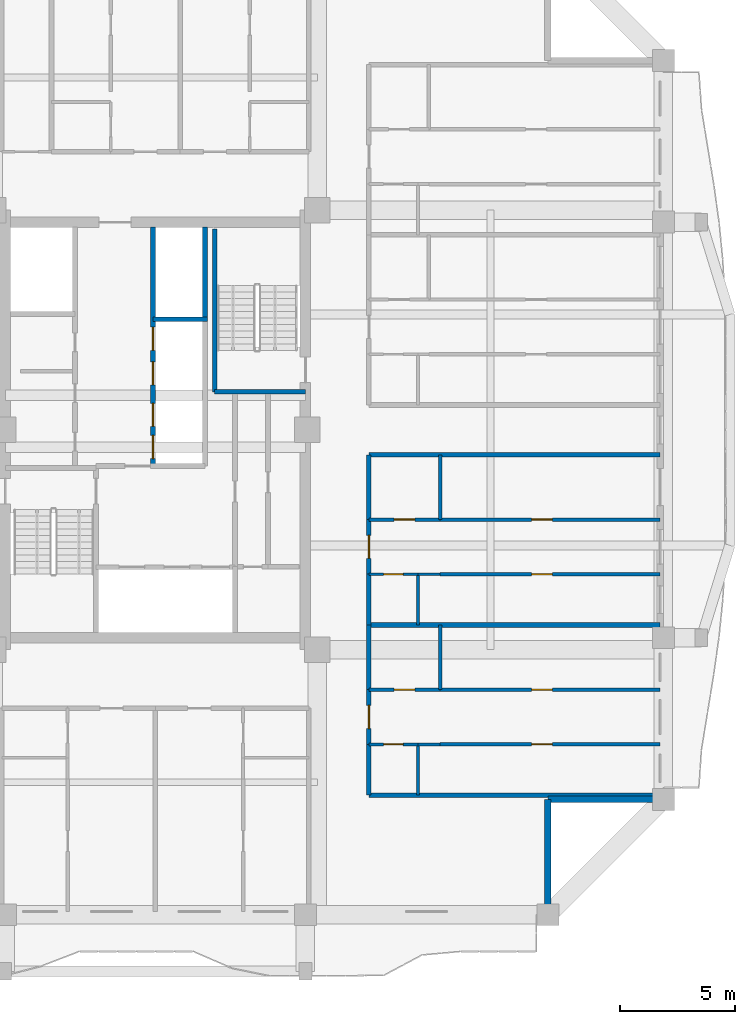
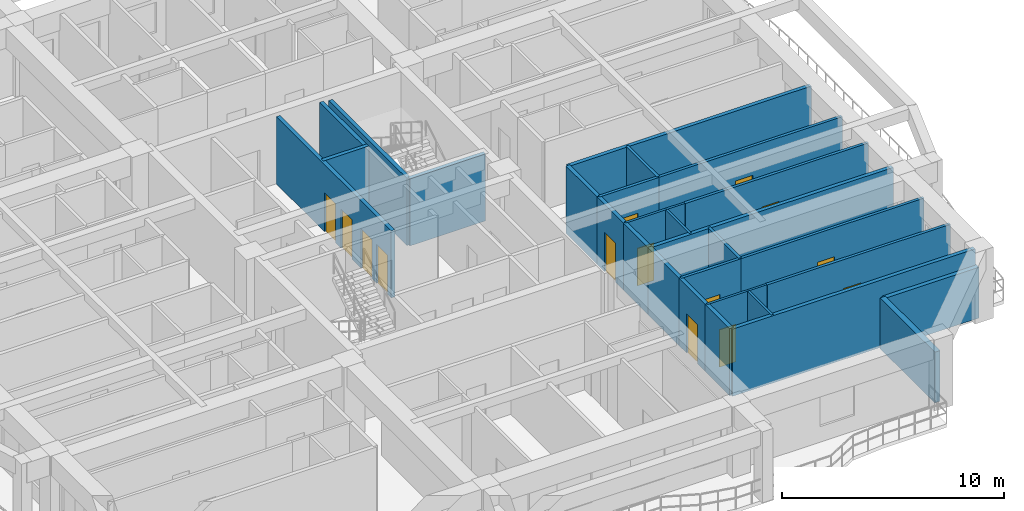
# One storey, part 5 of 15: 30 walls, 14 doors, 14 openings.
"""IFC4 building model written with IfcOpenShell, lengths in metres."""

from ifc_helpers import new_model, si_unit, direction, frame, frame_2d, origin, place, context, subcontext, project, spatial, rectangle, extrude, source, transform, mapped, material, layer, layer_set, type_object, element, fill, save


model = new_model("IFC4")

# Units and contexts
model_context = context("Model", 3, precision=1e-05, world=origin(), true_north=direction((0.0, 1.0)))
body_context = subcontext(model_context, "Body", "Model", "MODEL_VIEW")
ifc_project = project(units=[si_unit("LENGTHUNIT", "METRE"), si_unit("AREAUNIT", "SQUARE_METRE"), si_unit("VOLUMEUNIT", "CUBIC_METRE"), si_unit("PLANEANGLEUNIT", "RADIAN"), si_unit("MASSUNIT", "GRAM", prefix="KILO")], contexts=[model_context])

# Site, building, storey
site_placement = place(None, origin())
site = spatial("IfcSite", under=ifc_project, at=site_placement, CompositionType="ELEMENT")
building_placement = place(site_placement, origin())
building = spatial("IfcBuilding", under=site, at=building_placement, Name="Saelheon Loggia Tower", CompositionType="ELEMENT")
storey_placement = place(building_placement, frame((0.0, 0.0, 159.10009765625)))
storey = spatial("IfcBuildingStorey", under=building, at=storey_placement, Name="L50", CompositionType="ELEMENT", Elevation=159.10009765625)

# Walls
ifc_material_1 = material(Name="Architectural Precast Concrete C40/50", Category="concrete")
ifc_layer_1 = layer(ifc_material_1, 0.280029296875)
ifc_layer_set_1 = layer_set([ifc_layer_1], Name="Architectural Precast Concrete C40/50")
wall_type_1 = type_object("IfcWallType", Name="Wall_Ext_Loggia_280", PredefinedType="SOLIDWALL", material=ifc_layer_set_1)
for number, where, z_axis, x_axis, name in (
    (1, (55.0, 6.080078125, 0.0), (0.0, 0.0, 1.0), (0.0, 1.0, 0.0), "L50 Corner Notch Precast Wall SE1"),
    (2, (55.0, 11.0, 0.0), (0.0, 0.0, 1.0), (1.0, 0.0, 0.0), "L50 Corner Notch Precast Wall SE2"),
):
    element("IfcWall", number, at=place(storey_placement, frame(where, z_axis=z_axis, x_axis=x_axis)), inside=storey, type_object=wall_type_1, Name=name, PredefinedType="SOLIDWALL", context=body_context, shape_type="SweptSolid", body=[
        extrude(rectangle(XDim=4.919921875, YDim=0.280029296875, at=frame_2d((2.4599609375, 0.0))), origin(), (0.0, 0.0, 1.0), 2.789794921875),
    ])
ifc_material_2 = material(Name="Lightweight Autoclaved Aerated Concrete Block and Acoustic Gypsum", Category="concrete")
ifc_layer_2 = layer(ifc_material_2, 0.14990234375)
ifc_layer_set_2 = layer_set([ifc_layer_2], Name="Lightweight Autoclaved Aerated Concrete Block and Acoustic Gypsum")
wall_type_2 = type_object("IfcWallType", Name="Wall_Part_150", PredefinedType="PARTITIONING", material=ifc_layer_set_2)
wall_1_placement = place(storey_placement, frame((50.330078125, 15.74951171875, 0.0), z_axis=(0.0, 0.0, 1.0), x_axis=(0.0, 1.0, 0.0)))
element("IfcWall", 3, at=wall_1_placement, inside=storey, type_object=wall_type_2, Name="L50 ES Partition V07", PredefinedType="PARTITIONING", context=body_context, shape_type="SweptSolid", body=[
    extrude(rectangle(XDim=2.800537109375, YDim=0.14990234375, at=frame_2d((1.400390625, 0.0))), origin(), (0.0, 0.0, 1.0), 3.68994140625),
])

# Wall, opening, door
wall_2_placement = place(storey_placement, frame((50.330078125, 13.3798828125, 0.0), z_axis=(0.0, 0.0, 1.0), x_axis=(1.0, 0.0, 0.0)))
wall_2 = element("IfcWall", 4, at=wall_2_placement, inside=storey, type_object=wall_type_2, Name="L50 ES Partition U10", PredefinedType="PARTITIONING", context=body_context, shape_type="SweptSolid", body=[
    extrude(rectangle(XDim=9.52001953125, YDim=0.14990234375, at=frame_2d((4.760009765625, 0.0))), origin(), (0.0, 0.0, 1.0), 3.68994140625),
])
opening_1_placement = place(wall_2_placement, frame((3.970703125, 0.0, 0.0)))
opening_1 = element("IfcOpeningElement", 5, at=opening_1_placement, cuts=wall_2, Name="Opening D-IN2", PredefinedType="OPENING", context=body_context, shape_type="SweptSolid", body=[
    extrude(rectangle(XDim=0.89990234375, YDim=2.10009765625, at=frame_2d((0.449951171875, 1.050048828125))), frame((0.0, 0.0869140625, 0.0), z_axis=(0.0, -1.0, 0.0), x_axis=(1.0, 0.0, 0.0)), (0.0, 0.0, 1.0), 0.173828125),
])
ifc_material_3 = material(Name="Engineered Oak Flush Door", Category="timber")
door_type_1 = type_object("IfcDoorType", Name="Door_Int_900", OperationType="NOTDEFINED", PredefinedType="DOOR", material=ifc_material_3)
shared_shape_1 = source(origin(), body_context, "Body", "SweptSolid", [
    extrude(rectangle(XDim=0.89990234375, YDim=2.10009765625, at=frame_2d((0.449951171875, 1.050048828125))), frame((0.0, 0.02490234375, 0.0), z_axis=(0.0, -1.0, 0.0), x_axis=(1.0, 0.0, 0.0)), (0.0, 0.0, 1.0), 0.050048828125),
])
door_1_placement = place(opening_1_placement, origin())
door_1 = element("IfcDoor", 6, at=door_1_placement, inside=storey, type_object=door_type_1, Name="Unit U09 Kitchen Door", OperationType="SINGLE_SWING_RIGHT", OverallHeight=2.10009765625, OverallWidth=0.89990234375, PredefinedType="DOOR", context=body_context, shape_type="MappedRepresentation", body=[
    mapped(shared_shape_1, transform((0.0, 0.0, 0.0), scale=1.0)),
])
fill(opening_1, door_1)

wall_3_placement = place(storey_placement, frame((47.25, 15.74951171875, 0.0), z_axis=(0.0, 0.0, 1.0), x_axis=(1.0, 0.0, 0.0)))
wall_3 = element("IfcWall", 7, at=wall_3_placement, inside=storey, type_object=wall_type_2, Name="L50 ES Partition U11", PredefinedType="PARTITIONING", context=body_context, shape_type="SweptSolid", body=[
    extrude(rectangle(XDim=3.080078125, YDim=0.14990234375, at=frame_2d((1.5400390625, 0.0))), origin(), (0.0, 0.0, 1.0), 3.68994140625),
])
opening_2_placement = place(wall_3_placement, frame((1.090087890625, 0.0, 0.0)))
opening_2 = element("IfcOpeningElement", 8, at=opening_2_placement, cuts=wall_3, Name="Opening D-IN2", PredefinedType="OPENING", context=body_context, shape_type="SweptSolid", body=[
    extrude(rectangle(XDim=0.89990234375, YDim=2.10009765625, at=frame_2d((0.449951171875, 1.050048828125))), frame((0.0, 0.0869140625, 0.0), z_axis=(0.0, -1.0, 0.0), x_axis=(1.0, 0.0, 0.0)), (0.0, 0.0, 1.0), 0.173828125),
])
door_2_placement = place(opening_2_placement, origin())
door_2 = element("IfcDoor", 9, at=door_2_placement, inside=storey, type_object=door_type_1, Name="Unit U09 Dressing Closet Door", OperationType="SINGLE_SWING_LEFT", OverallHeight=2.10009765625, OverallWidth=0.89990234375, PredefinedType="DOOR", context=body_context, shape_type="MappedRepresentation", body=[
    mapped(shared_shape_1, transform((0.0, 0.0, 0.0), scale=1.0)),
])
fill(opening_2, door_2)

wall_4_placement = place(storey_placement, frame((50.330078125, 15.74951171875, 0.0), z_axis=(0.0, 0.0, 1.0), x_axis=(1.0, 0.0, 0.0)))
wall_4 = element("IfcWall", 10, at=wall_4_placement, inside=storey, type_object=wall_type_2, Name="L50 ES Partition U12", PredefinedType="PARTITIONING", context=body_context, shape_type="SweptSolid", body=[
    extrude(rectangle(XDim=9.52001953125, YDim=0.14990234375, at=frame_2d((4.760009765625, 0.0))), origin(), (0.0, 0.0, 1.0), 3.68994140625),
])
opening_3_placement = place(wall_4_placement, frame((3.970703125, 0.0, 0.0)))
opening_3 = element("IfcOpeningElement", 11, at=opening_3_placement, cuts=wall_4, Name="Opening D-IN2", PredefinedType="OPENING", context=body_context, shape_type="SweptSolid", body=[
    extrude(rectangle(XDim=0.89990234375, YDim=2.10009765625, at=frame_2d((0.449951171875, 1.050048828125))), frame((0.0, 0.0869140625, 0.0), z_axis=(0.0, -1.0, 0.0), x_axis=(1.0, 0.0, 0.0)), (0.0, 0.0, 1.0), 0.173828125),
])
door_3_placement = place(opening_3_placement, origin())
door_3 = element("IfcDoor", 12, at=door_3_placement, inside=storey, type_object=door_type_1, Name="Unit U09 Bedroom 1 Door", OperationType="SINGLE_SWING_RIGHT", OverallHeight=2.10009765625, OverallWidth=0.89990234375, PredefinedType="DOOR", context=body_context, shape_type="MappedRepresentation", body=[
    mapped(shared_shape_1, transform((0.0, 0.0, 0.0), scale=1.0)),
])
fill(opening_3, door_3)

# Wall
wall_5_placement = place(storey_placement, frame((50.330078125, 23.119384765625, 0.0), z_axis=(0.0, 0.0, 1.0), x_axis=(0.0, 1.0, 0.0)))
element("IfcWall", 13, at=wall_5_placement, inside=storey, type_object=wall_type_2, Name="L50 ES Partition V18", PredefinedType="PARTITIONING", context=body_context, shape_type="SweptSolid", body=[
    extrude(rectangle(XDim=2.800537109375, YDim=0.14990234375, at=frame_2d((1.400390625, 0.0))), origin(), (0.0, 0.0, 1.0), 3.68994140625),
])

# Wall, opening, door
wall_6_placement = place(storey_placement, frame((50.330078125, 20.75, 0.0), z_axis=(0.0, 0.0, 1.0), x_axis=(1.0, 0.0, 0.0)))
wall_6 = element("IfcWall", 14, at=wall_6_placement, inside=storey, type_object=wall_type_2, Name="L50 ES Partition U21", PredefinedType="PARTITIONING", context=body_context, shape_type="SweptSolid", body=[
    extrude(rectangle(XDim=9.52001953125, YDim=0.14990234375, at=frame_2d((4.760009765625, 0.0))), origin(), (0.0, 0.0, 1.0), 3.68994140625),
])
opening_4_placement = place(wall_6_placement, frame((3.970703125, 0.0, 0.0)))
opening_4 = element("IfcOpeningElement", 15, at=opening_4_placement, cuts=wall_6, Name="Opening D-IN2", PredefinedType="OPENING", context=body_context, shape_type="SweptSolid", body=[
    extrude(rectangle(XDim=0.89990234375, YDim=2.10009765625, at=frame_2d((0.449951171875, 1.050048828125))), frame((0.0, 0.0869140625, 0.0), z_axis=(0.0, -1.0, 0.0), x_axis=(1.0, 0.0, 0.0)), (0.0, 0.0, 1.0), 0.173828125),
])
door_4_placement = place(opening_4_placement, origin())
door_4 = element("IfcDoor", 16, at=door_4_placement, inside=storey, type_object=door_type_1, Name="Unit U10 Kitchen Door", OperationType="SINGLE_SWING_LEFT", OverallHeight=2.10009765625, OverallWidth=0.89990234375, PredefinedType="DOOR", context=body_context, shape_type="MappedRepresentation", body=[
    mapped(shared_shape_1, transform((0.0, 0.0, 0.0), scale=1.0)),
])
fill(opening_4, door_4)

wall_7_placement = place(storey_placement, frame((47.25, 23.119384765625, 0.0), z_axis=(0.0, 0.0, 1.0), x_axis=(1.0, 0.0, 0.0)))
wall_7 = element("IfcWall", 17, at=wall_7_placement, inside=storey, type_object=wall_type_2, Name="L50 ES Partition U22", PredefinedType="PARTITIONING", context=body_context, shape_type="SweptSolid", body=[
    extrude(rectangle(XDim=3.080078125, YDim=0.14990234375, at=frame_2d((1.5400390625, 0.0))), origin(), (0.0, 0.0, 1.0), 3.68994140625),
])
opening_5_placement = place(wall_7_placement, frame((1.090087890625, 0.0, 0.0)))
opening_5 = element("IfcOpeningElement", 18, at=opening_5_placement, cuts=wall_7, Name="Opening D-IN2", PredefinedType="OPENING", context=body_context, shape_type="SweptSolid", body=[
    extrude(rectangle(XDim=0.89990234375, YDim=2.10009765625, at=frame_2d((0.449951171875, 1.050048828125))), frame((0.0, 0.0869140625, 0.0), z_axis=(0.0, -1.0, 0.0), x_axis=(1.0, 0.0, 0.0)), (0.0, 0.0, 1.0), 0.173828125),
])
door_5_placement = place(opening_5_placement, origin())
door_5 = element("IfcDoor", 19, at=door_5_placement, inside=storey, type_object=door_type_1, Name="Unit U10 Dressing Closet Door", OperationType="SINGLE_SWING_RIGHT", OverallHeight=2.10009765625, OverallWidth=0.89990234375, PredefinedType="DOOR", context=body_context, shape_type="MappedRepresentation", body=[
    mapped(shared_shape_1, transform((0.0, 0.0, 0.0), scale=1.0)),
])
fill(opening_5, door_5)

wall_8_placement = place(storey_placement, frame((50.330078125, 23.119384765625, 0.0), z_axis=(0.0, 0.0, 1.0), x_axis=(1.0, 0.0, 0.0)))
wall_8 = element("IfcWall", 20, at=wall_8_placement, inside=storey, type_object=wall_type_2, Name="L50 ES Partition U23", PredefinedType="PARTITIONING", context=body_context, shape_type="SweptSolid", body=[
    extrude(rectangle(XDim=9.52001953125, YDim=0.14990234375, at=frame_2d((4.760009765625, 0.0))), origin(), (0.0, 0.0, 1.0), 3.68994140625),
])
opening_6_placement = place(wall_8_placement, frame((3.970703125, 0.0, 0.0)))
opening_6 = element("IfcOpeningElement", 21, at=opening_6_placement, cuts=wall_8, Name="Opening D-IN2", PredefinedType="OPENING", context=body_context, shape_type="SweptSolid", body=[
    extrude(rectangle(XDim=0.89990234375, YDim=2.10009765625, at=frame_2d((0.449951171875, 1.050048828125))), frame((0.0, 0.0869140625, 0.0), z_axis=(0.0, -1.0, 0.0), x_axis=(1.0, 0.0, 0.0)), (0.0, 0.0, 1.0), 0.173828125),
])
door_6_placement = place(opening_6_placement, origin())
door_6 = element("IfcDoor", 22, at=door_6_placement, inside=storey, type_object=door_type_1, Name="Unit U10 Bedroom 1 Door", OperationType="SINGLE_SWING_LEFT", OverallHeight=2.10009765625, OverallWidth=0.89990234375, PredefinedType="DOOR", context=body_context, shape_type="MappedRepresentation", body=[
    mapped(shared_shape_1, transform((0.0, 0.0, 0.0), scale=1.0)),
])
fill(opening_6, door_6)

# Walls
ifc_material_4 = material(Name="Double Acoustic Stud and Fireboard Partition", Category="gypsum")
ifc_layer_3 = layer(ifc_material_4, 0.199951171875)
ifc_layer_set_3 = layer_set([ifc_layer_3], Name="Double Acoustic Stud and Fireboard Partition")
wall_type_3 = type_object("IfcWallType", Name="Wall_Party_200", PredefinedType="PARTITIONING", material=ifc_layer_set_3)
for number, where, z_axis, x_axis, name in (
    (23, (47.25, 11.179931640625, 0.0), (0.0, 0.0, 1.0), (1.0, 0.0, 0.0), "L50 ES Partition U01"),
    (24, (47.25, 25.919921875, 0.0), (0.0, 0.0, 1.0), (1.0, 0.0, 0.0), "L50 ES Partition U02"),
):
    element("IfcWall", number, at=place(storey_placement, frame(where, z_axis=z_axis, x_axis=x_axis)), inside=storey, type_object=wall_type_3, Name=name, PredefinedType="PARTITIONING", context=body_context, shape_type="SweptSolid", body=[
        extrude(rectangle(XDim=12.60009765625, YDim=0.199951171875, at=frame_2d((6.300048828125, 0.0))), origin(), (0.0, 0.0, 1.0), 3.68994140625),
    ])
wall_9_placement = place(storey_placement, frame((47.25, 11.179931640625, 0.0), z_axis=(0.0, 0.0, 1.0), x_axis=(0.0, 1.0, 0.0)))
element("IfcWall", 25, at=wall_9_placement, inside=storey, type_object=wall_type_3, Name="L50 ES Partition V03", PredefinedType="PARTITIONING", context=body_context, shape_type="SweptSolid", body=[
    extrude(rectangle(XDim=2.199951171875, YDim=0.199951171875, at=frame_2d((1.10009765625, 0.0))), origin(), (0.0, 0.0, 1.0), 3.68994140625),
])

# Wall, opening, door
wall_10_placement = place(storey_placement, frame((47.25, 13.3798828125, 0.0), z_axis=(0.0, 0.0, 1.0), x_axis=(0.0, 1.0, 0.0)))
wall_10 = element("IfcWall", 26, at=wall_10_placement, inside=storey, type_object=wall_type_3, Name="L50 ES Partition V04", PredefinedType="PARTITIONING", context=body_context, shape_type="SweptSolid", body=[
    extrude(rectangle(XDim=2.36962890625, YDim=0.199951171875, at=frame_2d((1.184814453125, 0.0))), origin(), (0.0, 0.0, 1.0), 3.68994140625),
])
opening_7_placement = place(wall_10_placement, frame((0.684814453125, 0.0, 0.0)))
opening_7 = element("IfcOpeningElement", 27, at=opening_7_placement, cuts=wall_10, Name="Opening D-FD1", PredefinedType="OPENING", context=body_context, shape_type="SweptSolid", body=[
    extrude(rectangle(XDim=1.0, YDim=2.14990234375, at=frame_2d((0.5, 1.074951171875))), frame((0.0, 0.112060546875, 0.0), z_axis=(0.0, -1.0, 0.0), x_axis=(1.0, 0.0, 0.0)), (0.0, 0.0, 1.0), 0.223876953125),
])
ifc_material_5 = material(Name="Fire-Rated Engineered Timber Entrance Door", Category="wood")
door_type_2 = type_object("IfcDoorType", Name="Door_Flat_FD30S", OperationType="NOTDEFINED", PredefinedType="DOOR", material=ifc_material_5)
shared_shape_2 = source(origin(), body_context, "Body", "SweptSolid", [
    extrude(rectangle(XDim=1.0, YDim=2.14990234375, at=frame_2d((0.5, 1.074951171875))), frame((0.0, 0.02490234375, 0.0), z_axis=(0.0, -1.0, 0.0), x_axis=(1.0, 0.0, 0.0)), (0.0, 0.0, 1.0), 0.050048828125),
])
door_7_placement = place(opening_7_placement, origin())
door_7 = element("IfcDoor", 28, at=door_7_placement, inside=storey, type_object=door_type_2, Name="Unit U09 Entrance Door", OperationType="SINGLE_SWING_RIGHT", OverallHeight=2.14990234375, OverallWidth=1.0, PredefinedType="DOOR", context=body_context, shape_type="MappedRepresentation", body=[
    mapped(shared_shape_2, transform((0.0, 0.0, 0.0), scale=1.0)),
])
fill(opening_7, door_7)

# Walls
wall_11_placement = place(storey_placement, frame((47.25, 15.74951171875, 0.0), z_axis=(0.0, 0.0, 1.0), x_axis=(0.0, 1.0, 0.0)))
element("IfcWall", 29, at=wall_11_placement, inside=storey, type_object=wall_type_3, Name="L50 ES Partition V05", PredefinedType="PARTITIONING", context=body_context, shape_type="SweptSolid", body=[
    extrude(rectangle(XDim=2.800537109375, YDim=0.199951171875, at=frame_2d((1.400390625, 0.0))), origin(), (0.0, 0.0, 1.0), 3.68994140625),
])
wall_12_placement = place(storey_placement, frame((47.25, 18.550048828125, 0.0), z_axis=(0.0, 0.0, 1.0), x_axis=(1.0, 0.0, 0.0)))
element("IfcWall", 30, at=wall_12_placement, inside=storey, type_object=wall_type_3, Name="L50 ES Partition U13", PredefinedType="PARTITIONING", context=body_context, shape_type="SweptSolid", body=[
    extrude(rectangle(XDim=12.60009765625, YDim=0.199951171875, at=frame_2d((6.300048828125, 0.0))), origin(), (0.0, 0.0, 1.0), 3.68994140625),
])
wall_13_placement = place(storey_placement, frame((47.25, 18.550048828125, 0.0), z_axis=(0.0, 0.0, 1.0), x_axis=(0.0, 1.0, 0.0)))
element("IfcWall", 31, at=wall_13_placement, inside=storey, type_object=wall_type_3, Name="L50 ES Partition V14", PredefinedType="PARTITIONING", context=body_context, shape_type="SweptSolid", body=[
    extrude(rectangle(XDim=2.199951171875, YDim=0.199951171875, at=frame_2d((1.10009765625, 0.0))), origin(), (0.0, 0.0, 1.0), 3.68994140625),
])

# Wall, opening, door
wall_14_placement = place(storey_placement, frame((47.25, 20.75, 0.0), z_axis=(0.0, 0.0, 1.0), x_axis=(0.0, 1.0, 0.0)))
wall_14 = element("IfcWall", 32, at=wall_14_placement, inside=storey, type_object=wall_type_3, Name="L50 ES Partition V15", PredefinedType="PARTITIONING", context=body_context, shape_type="SweptSolid", body=[
    extrude(rectangle(XDim=2.369384765625, YDim=0.199951171875, at=frame_2d((1.1845703125, 0.0))), origin(), (0.0, 0.0, 1.0), 3.68994140625),
])
opening_8_placement = place(wall_14_placement, frame((0.684814453125, 0.0, 0.0)))
opening_8 = element("IfcOpeningElement", 33, at=opening_8_placement, cuts=wall_14, Name="Opening D-FD1", PredefinedType="OPENING", context=body_context, shape_type="SweptSolid", body=[
    extrude(rectangle(XDim=1.0, YDim=2.14990234375, at=frame_2d((0.5, 1.074951171875))), frame((0.0, 0.112060546875, 0.0), z_axis=(0.0, -1.0, 0.0), x_axis=(1.0, 0.0, 0.0)), (0.0, 0.0, 1.0), 0.223876953125),
])
door_8_placement = place(opening_8_placement, origin())
door_8 = element("IfcDoor", 34, at=door_8_placement, inside=storey, type_object=door_type_2, Name="Unit U10 Entrance Door", OperationType="SINGLE_SWING_LEFT", OverallHeight=2.14990234375, OverallWidth=1.0, PredefinedType="DOOR", context=body_context, shape_type="MappedRepresentation", body=[
    mapped(shared_shape_2, transform((0.0, 0.0, 0.0), scale=1.0)),
])
fill(opening_8, door_8)

# Walls
wall_15_placement = place(storey_placement, frame((47.25, 23.119384765625, 0.0), z_axis=(0.0, 0.0, 1.0), x_axis=(0.0, 1.0, 0.0)))
element("IfcWall", 35, at=wall_15_placement, inside=storey, type_object=wall_type_3, Name="L50 ES Partition V16", PredefinedType="PARTITIONING", context=body_context, shape_type="SweptSolid", body=[
    extrude(rectangle(XDim=2.800537109375, YDim=0.199951171875, at=frame_2d((1.400390625, 0.0))), origin(), (0.0, 0.0, 1.0), 3.68994140625),
])
ifc_material_6 = material(Name="Concrete C40/50", Category="concrete")
ifc_layer_4 = layer(ifc_material_6, 0.199951171875)
ifc_layer_set_4 = layer_set([ifc_layer_4], Name="Concrete C40/50")
wall_type_4 = type_object("IfcWallType", Name="Wall_Shaft_200", PredefinedType="PARTITIONING", material=ifc_layer_set_4)
wall_16_placement = place(storey_placement, frame((40.14990234375, 31.800048828125, 0.0), z_axis=(0.0, 0.0, 1.0), x_axis=(0.0, 1.0, 0.0)))
element("IfcWall", 36, at=wall_16_placement, inside=storey, type_object=wall_type_4, Name="L50 East High-Rise Hoistway East Wall", PredefinedType="PARTITIONING", context=body_context, shape_type="SweptSolid", body=[
    extrude(rectangle(XDim=3.97998046875, YDim=0.199951171875, at=frame_2d((1.989990234375, 0.0))), origin(), (0.0, 0.0, 1.0), 3.68994140625),
])

# Wall, openings, doors
wall_17_placement = place(storey_placement, frame((37.89990234375, 25.43994140625, 0.0), z_axis=(0.0, 0.0, 1.0), x_axis=(0.0, 1.0, 0.0)))
wall_17 = element("IfcWall", 37, at=wall_17_placement, inside=storey, type_object=wall_type_4, Name="L50 East Passenger Lift Bank Wall", PredefinedType="PARTITIONING", context=body_context, shape_type="SweptSolid", body=[
    extrude(rectangle(XDim=10.340087890625, YDim=0.199951171875, at=frame_2d((5.169921875, 0.0))), origin(), (0.0, 0.0, 1.0), 3.68994140625),
])
opening_9_placement = place(wall_17_placement, frame((0.320068359375, 0.0, 0.0)))
opening_9 = element("IfcOpeningElement", 38, at=opening_9_placement, cuts=wall_17, Name="Opening LD1", PredefinedType="OPENING", context=body_context, shape_type="SweptSolid", body=[
    extrude(rectangle(XDim=1.0, YDim=2.14990234375, at=frame_2d((0.5, 1.074951171875))), frame((0.0, 0.112060546875, 0.0), z_axis=(0.0, -1.0, 0.0), x_axis=(1.0, 0.0, 0.0)), (0.0, 0.0, 1.0), 0.223876953125),
])
opening_10_placement = place(wall_17_placement, frame((1.7099609375, 0.0, 0.0)))
opening_10 = element("IfcOpeningElement", 39, at=opening_10_placement, cuts=wall_17, Name="Opening LD1", PredefinedType="OPENING", context=body_context, shape_type="SweptSolid", body=[
    extrude(rectangle(XDim=1.0, YDim=2.14990234375, at=frame_2d((0.5, 1.074951171875))), frame((0.0, 0.112060546875, 0.0), z_axis=(0.0, -1.0, 0.0), x_axis=(1.0, 0.0, 0.0)), (0.0, 0.0, 1.0), 0.223876953125),
])
opening_11_placement = place(wall_17_placement, frame((3.510009765625, 0.0, 0.0)))
opening_11 = element("IfcOpeningElement", 40, at=opening_11_placement, cuts=wall_17, Name="Opening LD1", PredefinedType="OPENING", context=body_context, shape_type="SweptSolid", body=[
    extrude(rectangle(XDim=1.0, YDim=2.14990234375, at=frame_2d((0.5, 1.074951171875))), frame((0.0, 0.112060546875, 0.0), z_axis=(0.0, -1.0, 0.0), x_axis=(1.0, 0.0, 0.0)), (0.0, 0.0, 1.0), 0.223876953125),
])
opening_12_placement = place(wall_17_placement, frame((5.010009765625, 0.0, 0.0)))
opening_12 = element("IfcOpeningElement", 41, at=opening_12_placement, cuts=wall_17, Name="Opening LD1", PredefinedType="OPENING", context=body_context, shape_type="SweptSolid", body=[
    extrude(rectangle(XDim=1.0, YDim=2.14990234375, at=frame_2d((0.5, 1.074951171875))), frame((0.0, 0.112060546875, 0.0), z_axis=(0.0, -1.0, 0.0), x_axis=(1.0, 0.0, 0.0)), (0.0, 0.0, 1.0), 0.223876953125),
])
ifc_material_7 = material(Name="Brushed Stainless Steel 304 Landing Door", Category="steel")
door_type_3 = type_object("IfcDoorType", Name="Door_Lift_LD1", OperationType="DOUBLE_DOOR_SLIDING", PredefinedType="DOOR", material=ifc_material_7)
door_9_placement = place(opening_9_placement, origin())
door_9 = element("IfcDoor", 42, at=door_9_placement, inside=storey, type_object=door_type_3, Name="L50 PM1 Landing Door", OperationType="DOUBLE_DOOR_SLIDING", OverallHeight=2.14990234375, OverallWidth=1.0, PredefinedType="DOOR", context=body_context, shape_type="MappedRepresentation", body=[
    mapped(shared_shape_2, transform((0.0, 0.0, 0.0), scale=1.0)),
])
fill(opening_9, door_9)
door_10_placement = place(opening_10_placement, origin())
door_10 = element("IfcDoor", 43, at=door_10_placement, inside=storey, type_object=door_type_3, Name="L50 PM2 Landing Door", OperationType="DOUBLE_DOOR_SLIDING", OverallHeight=2.14990234375, OverallWidth=1.0, PredefinedType="DOOR", context=body_context, shape_type="MappedRepresentation", body=[
    mapped(shared_shape_2, transform((0.0, 0.0, 0.0), scale=1.0)),
])
fill(opening_10, door_10)
door_11_placement = place(opening_11_placement, origin())
door_11 = element("IfcDoor", 44, at=door_11_placement, inside=storey, type_object=door_type_3, Name="L50 PM3 Landing Door", OperationType="DOUBLE_DOOR_SLIDING", OverallHeight=2.14990234375, OverallWidth=1.0, PredefinedType="DOOR", context=body_context, shape_type="MappedRepresentation", body=[
    mapped(shared_shape_2, transform((0.0, 0.0, 0.0), scale=1.0)),
])
fill(opening_11, door_11)
door_12_placement = place(opening_12_placement, origin())
door_12 = element("IfcDoor", 45, at=door_12_placement, inside=storey, type_object=door_type_3, Name="L50 PM4 Landing Door", OperationType="DOUBLE_DOOR_SLIDING", OverallHeight=2.14990234375, OverallWidth=1.0, PredefinedType="DOOR", context=body_context, shape_type="MappedRepresentation", body=[
    mapped(shared_shape_2, transform((0.0, 0.0, 0.0), scale=1.0)),
])
fill(opening_12, door_12)

# Walls
wall_18_placement = place(storey_placement, frame((37.89990234375, 31.800048828125, 0.0), z_axis=(0.0, 0.0, 1.0), x_axis=(1.0, 0.0, 0.0)))
element("IfcWall", 46, at=wall_18_placement, inside=storey, type_object=wall_type_4, Name="L50 East High-Rise Shaft Divider", PredefinedType="PARTITIONING", context=body_context, shape_type="SweptSolid", body=[
    extrude(rectangle(XDim=2.35009765625, YDim=0.199951171875, at=frame_2d((1.175048828125, 0.0))), origin(), (0.0, 0.0, 1.0), 3.68994140625),
])
ifc_material_8 = material(Name="Concrete C45/55", Category="concrete")
ifc_layer_5 = layer(ifc_material_8, 0.199951171875)
ifc_layer_set_5 = layer_set([ifc_layer_5], Name="Concrete C45/55")
wall_type_5 = type_object("IfcWallType", Name="Wall_StairShaft_RC200", PredefinedType="SOLIDWALL", material=ifc_layer_set_5)
wall_19_placement = place(storey_placement, frame((40.570068359375, 28.64990234375, 0.0), z_axis=(0.0, 0.0, 1.0), x_axis=(0.0, 1.0, 0.0)))
element("IfcWall", 47, at=wall_19_placement, inside=storey, type_object=wall_type_5, Name="L50 Stair ST2 Shaft Wall", PredefinedType="SOLIDWALL", context=body_context, shape_type="SweptSolid", body=[
    extrude(rectangle(XDim=7.050048828125, YDim=0.199951171875, at=frame_2d((3.52490234375, 0.0))), origin(), (0.0, 0.0, 1.0), 3.68994140625),
])
wall_20_placement = place(storey_placement, frame((40.570068359375, 28.64990234375, 0.0), z_axis=(0.0, 0.0, 1.0), x_axis=(1.0, 0.0, 0.0)))
element("IfcWall", 48, at=wall_20_placement, inside=storey, type_object=wall_type_5, Name="L50 Stair ST2 South Wall", PredefinedType="SOLIDWALL", context=body_context, shape_type="SweptSolid", body=[
    extrude(rectangle(XDim=3.929931640625, YDim=0.199951171875, at=frame_2d((1.96484375, 0.0))), origin(), (0.0, 0.0, 1.0), 3.68994140625),
])
ifc_material_9 = material(Name="Moisture-Resistant Cement Board Partition", Category="gypsum")
ifc_layer_6 = layer(ifc_material_9, 0.1201171875)
ifc_layer_set_6 = layer_set([ifc_layer_6], Name="Moisture-Resistant Cement Board Partition")
wall_type_6 = type_object("IfcWallType", Name="Wall_WetPart_120", PredefinedType="PARTITIONING", material=ifc_layer_set_6)
wall_21_placement = place(storey_placement, frame((49.3701171875, 11.179931640625, 0.0), z_axis=(0.0, 0.0, 1.0), x_axis=(0.0, 1.0, 0.0)))
element("IfcWall", 49, at=wall_21_placement, inside=storey, type_object=wall_type_6, Name="L50 ES Partition V06", PredefinedType="PARTITIONING", context=body_context, shape_type="SweptSolid", body=[
    extrude(rectangle(XDim=2.199951171875, YDim=0.1201171875, at=frame_2d((1.10009765625, 0.0))), origin(), (0.0, 0.0, 1.0), 3.68994140625),
])

# Wall, opening, door
wall_22_placement = place(storey_placement, frame((47.25, 13.3798828125, 0.0), z_axis=(0.0, 0.0, 1.0), x_axis=(1.0, 0.0, 0.0)))
wall_22 = element("IfcWall", 50, at=wall_22_placement, inside=storey, type_object=wall_type_6, Name="L50 ES Partition U08", PredefinedType="PARTITIONING", context=body_context, shape_type="SweptSolid", body=[
    extrude(rectangle(XDim=2.1201171875, YDim=0.1201171875, at=frame_2d((1.06005859375, 0.0))), origin(), (0.0, 0.0, 1.0), 3.68994140625),
])
opening_13_placement = place(wall_22_placement, frame((0.635009765625, 0.0, 0.0)))
opening_13 = element("IfcOpeningElement", 51, at=opening_13_placement, cuts=wall_22, Name="Opening D-BT1", PredefinedType="OPENING", context=body_context, shape_type="SweptSolid", body=[
    extrude(rectangle(XDim=0.85009765625, YDim=2.050048828125, at=frame_2d((0.425048828125, 1.02490234375))), frame((0.0, 0.072021484375, 0.0), z_axis=(0.0, -1.0, 0.0), x_axis=(1.0, 0.0, 0.0)), (0.0, 0.0, 1.0), 0.14404296875),
])
ifc_material_10 = material(Name="Moisture-Resistant Laminate Timber Door", Category="wood")
door_type_4 = type_object("IfcDoorType", Name="Door_Bath_850", OperationType="NOTDEFINED", PredefinedType="DOOR", material=ifc_material_10)
shared_shape_3 = source(origin(), body_context, "Body", "SweptSolid", [
    extrude(rectangle(XDim=0.85009765625, YDim=2.050048828125, at=frame_2d((0.425048828125, 1.02490234375))), frame((0.0, 0.02490234375, 0.0), z_axis=(0.0, -1.0, 0.0), x_axis=(1.0, 0.0, 0.0)), (0.0, 0.0, 1.0), 0.050048828125),
])
door_13_placement = place(opening_13_placement, origin())
door_13 = element("IfcDoor", 52, at=door_13_placement, inside=storey, type_object=door_type_4, Name="Unit U09 Bathroom Door", OperationType="SINGLE_SWING_LEFT", OverallHeight=2.050048828125, OverallWidth=0.85009765625, PredefinedType="DOOR", context=body_context, shape_type="MappedRepresentation", body=[
    mapped(shared_shape_3, transform((0.0, 0.0, 0.0), scale=1.0)),
])
fill(opening_13, door_13)

# Walls
wall_23_placement = place(storey_placement, frame((49.3701171875, 13.3798828125, 0.0), z_axis=(0.0, 0.0, 1.0), x_axis=(1.0, 0.0, 0.0)))
element("IfcWall", 53, at=wall_23_placement, inside=storey, type_object=wall_type_6, Name="L50 ES Partition U09", PredefinedType="PARTITIONING", context=body_context, shape_type="SweptSolid", body=[
    extrude(rectangle(XDim=0.9599609375, YDim=0.1201171875, at=frame_2d((0.47998046875, 0.0))), origin(), (0.0, 0.0, 1.0), 3.68994140625),
])
wall_24_placement = place(storey_placement, frame((49.3701171875, 18.550048828125, 0.0), z_axis=(0.0, 0.0, 1.0), x_axis=(0.0, 1.0, 0.0)))
element("IfcWall", 54, at=wall_24_placement, inside=storey, type_object=wall_type_6, Name="L50 ES Partition V17", PredefinedType="PARTITIONING", context=body_context, shape_type="SweptSolid", body=[
    extrude(rectangle(XDim=2.199951171875, YDim=0.1201171875, at=frame_2d((1.10009765625, 0.0))), origin(), (0.0, 0.0, 1.0), 3.68994140625),
])

# Wall, opening, door
wall_25_placement = place(storey_placement, frame((47.25, 20.75, 0.0), z_axis=(0.0, 0.0, 1.0), x_axis=(1.0, 0.0, 0.0)))
wall_25 = element("IfcWall", 55, at=wall_25_placement, inside=storey, type_object=wall_type_6, Name="L50 ES Partition U19", PredefinedType="PARTITIONING", context=body_context, shape_type="SweptSolid", body=[
    extrude(rectangle(XDim=2.1201171875, YDim=0.1201171875, at=frame_2d((1.06005859375, 0.0))), origin(), (0.0, 0.0, 1.0), 3.68994140625),
])
opening_14_placement = place(wall_25_placement, frame((0.635009765625, 0.0, 0.0)))
opening_14 = element("IfcOpeningElement", 56, at=opening_14_placement, cuts=wall_25, Name="Opening D-BT1", PredefinedType="OPENING", context=body_context, shape_type="SweptSolid", body=[
    extrude(rectangle(XDim=0.85009765625, YDim=2.050048828125, at=frame_2d((0.425048828125, 1.02490234375))), frame((0.0, 0.072021484375, 0.0), z_axis=(0.0, -1.0, 0.0), x_axis=(1.0, 0.0, 0.0)), (0.0, 0.0, 1.0), 0.14404296875),
])
door_14_placement = place(opening_14_placement, origin())
door_14 = element("IfcDoor", 57, at=door_14_placement, inside=storey, type_object=door_type_4, Name="Unit U10 Bathroom Door", OperationType="SINGLE_SWING_RIGHT", OverallHeight=2.050048828125, OverallWidth=0.85009765625, PredefinedType="DOOR", context=body_context, shape_type="MappedRepresentation", body=[
    mapped(shared_shape_3, transform((0.0, 0.0, 0.0), scale=1.0)),
])
fill(opening_14, door_14)

# Wall
wall_26_placement = place(storey_placement, frame((49.3701171875, 20.75, 0.0), z_axis=(0.0, 0.0, 1.0), x_axis=(1.0, 0.0, 0.0)))
element("IfcWall", 58, at=wall_26_placement, inside=storey, type_object=wall_type_6, Name="L50 ES Partition U20", PredefinedType="PARTITIONING", context=body_context, shape_type="SweptSolid", body=[
    extrude(rectangle(XDim=0.9599609375, YDim=0.1201171875, at=frame_2d((0.47998046875, 0.0))), origin(), (0.0, 0.0, 1.0), 3.68994140625),
])

save(model, "model.ifc")
